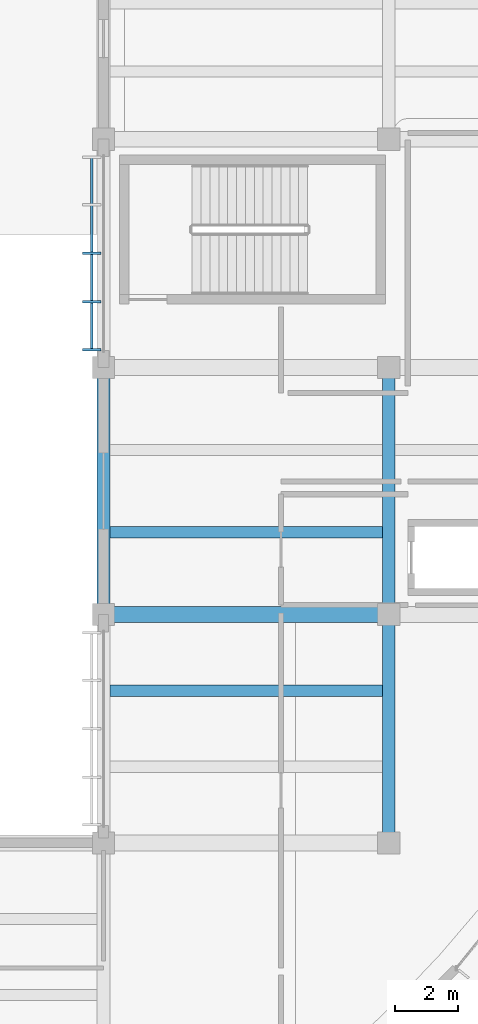
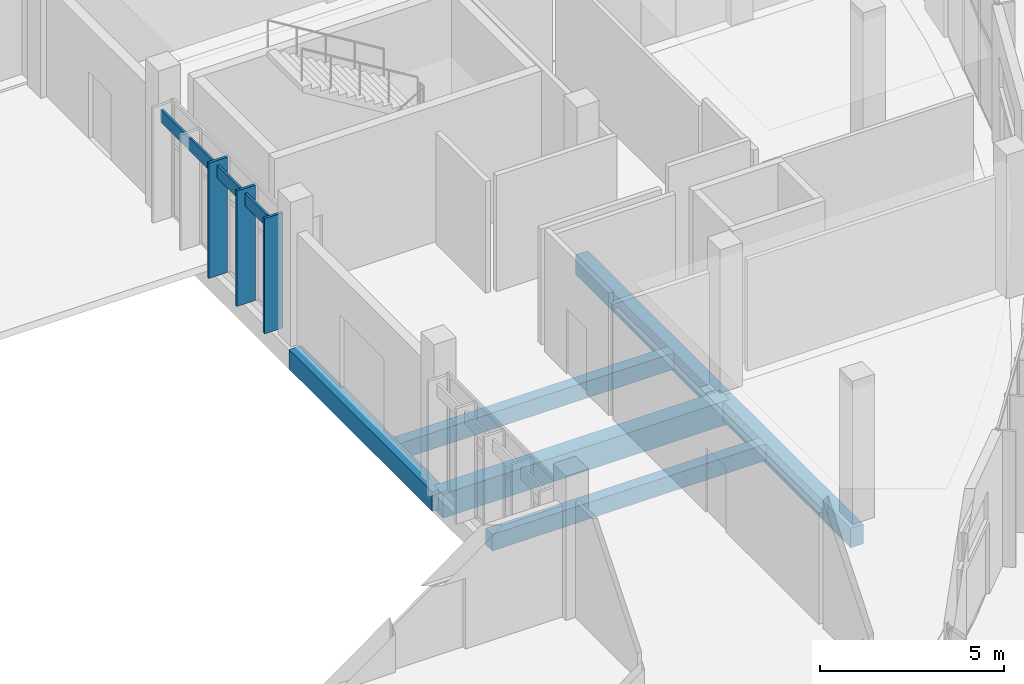
# One storey, part 76 of 151: 6 beams, 4 members, 1 element without a shape of its own.
"""IFC4 building model written with IfcOpenShell, lengths in metres."""

from ifc_helpers import new_model, si_unit, direction, frame, origin, origin_2d, place, context, subcontext, project, spatial, rectangle, extrude, material, material_profile, profile_set, type_object, element, aggregate, save


model = new_model("IFC4")

# Units and contexts
model_context = context("Model", 3, precision=1e-05, world=origin(), true_north=direction((0.0, 1.0)))
body_context = subcontext(model_context, "Body", "Model", "MODEL_VIEW")
ifc_project = project(units=[si_unit("LENGTHUNIT", "METRE"), si_unit("AREAUNIT", "SQUARE_METRE"), si_unit("VOLUMEUNIT", "CUBIC_METRE"), si_unit("PLANEANGLEUNIT", "RADIAN"), si_unit("MASSUNIT", "GRAM", prefix="KILO")], contexts=[model_context])

# Site, building, storey
site_placement = place(None, origin())
site = spatial("IfcSite", under=ifc_project, at=site_placement, CompositionType="ELEMENT")
building_placement = place(site_placement, origin())
building = spatial("IfcBuilding", under=site, at=building_placement, Name="Chiffa Square Polytechnic", CompositionType="ELEMENT")
storey_placement = place(building_placement, origin())
storey = spatial("IfcBuildingStorey", under=building, at=storey_placement, Name="L00", CompositionType="ELEMENT", Elevation=0.0)

# Beams
ifc_material_1 = material(Name="Concrete C35/45", Category="concrete")
ifc_material_profile_1 = material_profile(ifc_material_1, rectangle(XDim=0.39990234375, YDim=0.64990234375, at=origin_2d()), Name="RC 400x650")
ifc_profile_set_1 = profile_set([ifc_material_profile_1], Name="Concrete C35/45")
beam_type_1 = type_object("IfcBeamType", Name="BM-RC-400X650", PredefinedType="BEAM", material=ifc_profile_set_1)
beam_1_placement = place(storey_placement, frame((148.199951171875, 36.0, -0.675048828125), z_axis=(0.0, 1.0, 0.0), x_axis=(-1.0, 0.0, 0.0)))
element("IfcBeam", 1, at=beam_1_placement, inside=storey, type_object=beam_type_1, Name="Primary floor girder BM-V1-L00-Y-1482-0360", PredefinedType="BEAM", context=body_context, shape_type="SweptSolid", body=[
    extrude(rectangle(XDim=0.39990234375, YDim=0.64990234375, at=origin_2d()), origin(), (0.0, 0.0, 1.0), 7.800048828125),
])
beam_2_placement = place(storey_placement, frame((157.199951171875, 28.800048828125, -0.675048828125), z_axis=(0.0, 1.0, 0.0), x_axis=(-1.0, 0.0, 0.0)))
element("IfcBeam", 2, at=beam_2_placement, inside=storey, type_object=beam_type_1, Name="Primary floor girder BM-V1-L00-Y-1572-0288", PredefinedType="BEAM", context=body_context, shape_type="SweptSolid", body=[
    extrude(rectangle(XDim=0.39990234375, YDim=0.64990234375, at=origin_2d()), origin(), (0.0, 0.0, 1.0), 7.199951171875),
])
beam_3_placement = place(storey_placement, frame((157.199951171875, 36.0, -0.675048828125), z_axis=(0.0, 1.0, 0.0), x_axis=(-1.0, 0.0, 0.0)))
element("IfcBeam", 3, at=beam_3_placement, inside=storey, type_object=beam_type_1, Name="Primary floor girder BM-V1-L00-Y-1572-0360", PredefinedType="BEAM", context=body_context, shape_type="SweptSolid", body=[
    extrude(rectangle(XDim=0.39990234375, YDim=0.64990234375, at=origin_2d()), origin(), (0.0, 0.0, 1.0), 7.800048828125),
])
ifc_material_2 = material(Name="Concrete C40/50", Category="concrete")
ifc_material_profile_2 = material_profile(ifc_material_2, rectangle(XDim=0.5, YDim=0.800048828125, at=origin_2d()), Name="RC 500x800")
ifc_profile_set_2 = profile_set([ifc_material_profile_2], Name="Concrete C40/50")
beam_type_2 = type_object("IfcBeamType", Name="BM-RC-500X800", PredefinedType="BEAM", material=ifc_profile_set_2)
beam_4_placement = place(storey_placement, frame((148.199951171875, 36.0, -0.75), z_axis=(1.0, 0.0, 0.0), x_axis=(0.0, 1.0, 0.0)))
element("IfcBeam", 4, at=beam_4_placement, inside=storey, type_object=beam_type_2, Name="Primary floor girder BM-V1-L00-X-1482-0360", PredefinedType="BEAM", context=body_context, shape_type="SweptSolid", body=[
    extrude(rectangle(XDim=0.5, YDim=0.800048828125, at=origin_2d()), origin(), (0.0, 0.0, 1.0), 9.0),
])

# Curtain wall, members
ifc_material_3 = material(Name="Aluminium EN AW-6060 T66 and glulam shading", Category="wood")
curtain_wall_type = type_object("IfcCurtainWallType", Name="CW-VERT-360X380", PredefinedType="USERDEFINED", material=ifc_material_3)
curtain_wall_placement = place(storey_placement, origin())
curtain_wall = element("IfcCurtainWall", 5, at=curtain_wall_placement, inside=storey, type_object=curtain_wall_type, Name="Curtain wall CW-V1-L00-125", ObjectType="CURTAIN WALL", PredefinedType="USERDEFINED")
ifc_material_4 = material(Name="Glulam GL28h", Category="wood")
ifc_material_profile_3 = material_profile(ifc_material_4, rectangle(XDim=0.080078125, YDim=0.580078125, at=origin_2d()), Name="GL28h 80x580")
ifc_profile_set_3 = profile_set([ifc_material_profile_3], Name="Glulam GL28h")
member_type_1 = type_object("IfcMemberType", Name="CWM-GL-80X580", PredefinedType="MULLION", material=ifc_profile_set_3)
member_1_placement = place(storey_placement, frame((147.827880859375, 47.39990234375, 0.010009765625), z_axis=(0.0, 0.0, 1.0), x_axis=(0.0, -1.0, 0.0)))
member_1 = element("IfcMember", 6, at=member_1_placement, type_object=member_type_1, Name="Exterior glulam solar fin CW-V1-L00-125-FN02", PredefinedType="MULLION", context=body_context, shape_type="SweptSolid", body=[
    extrude(rectangle(XDim=0.080078125, YDim=0.580078125, at=origin_2d()), origin(), (0.0, 0.0, 1.0), 3.8349609375),
])
member_2_placement = place(storey_placement, frame((147.827880859375, 45.8701171875, 0.010009765625), z_axis=(0.0, 0.0, 1.0), x_axis=(0.0, -1.0, 0.0)))
member_2 = element("IfcMember", 7, at=member_2_placement, type_object=member_type_1, Name="Exterior glulam solar fin CW-V1-L00-125-FN03", PredefinedType="MULLION", context=body_context, shape_type="SweptSolid", body=[
    extrude(rectangle(XDim=0.080078125, YDim=0.580078125, at=origin_2d()), origin(), (0.0, 0.0, 1.0), 3.8349609375),
])
member_3_placement = place(storey_placement, frame((147.827880859375, 44.364990234375, 0.010009765625), z_axis=(0.0, 0.0, 1.0), x_axis=(0.0, -1.0, 0.0)))
member_3 = element("IfcMember", 8, at=member_3_placement, type_object=member_type_1, Name="Exterior glulam solar fin CW-V1-L00-125-FN04", PredefinedType="MULLION", context=body_context, shape_type="SweptSolid", body=[
    extrude(rectangle(XDim=0.080078125, YDim=0.580078125, at=origin_2d()), origin(), (0.0, 0.0, 1.0), 3.8349609375),
])
ifc_material_profile_4 = material_profile(ifc_material_4, rectangle(XDim=0.070068359375, YDim=0.419921875, at=origin_2d()), Name="GL28h 70x420")
ifc_profile_set_4 = profile_set([ifc_material_profile_4], Name="Glulam GL28h")
member_type_2 = type_object("IfcMemberType", Name="CWT-GL-70X420", PredefinedType="USERDEFINED", material=ifc_profile_set_4)
member_4_placement = place(storey_placement, frame((147.827880859375, 50.43505859375, 3.47509765625), z_axis=(0.0, -1.0, 0.0), x_axis=(1.0, 0.0, 0.0)))
member_4 = element("IfcMember", 9, at=member_4_placement, type_object=member_type_2, Name="Exterior glulam brise-soleil CW-V1-L00-125-BS01", ObjectType="TRANSOM", PredefinedType="USERDEFINED", context=body_context, shape_type="SweptSolid", body=[
    extrude(rectangle(XDim=0.070068359375, YDim=0.419921875, at=origin_2d()), origin(), (0.0, 0.0, 1.0), 6.070068359375),
])
aggregate(curtain_wall, [member_1, member_2, member_3, member_4])

# Beams
ifc_material_profile_5 = material_profile(ifc_material_1, rectangle(XDim=0.35009765625, YDim=0.550048828125, at=origin_2d()), Name="RC 350x550")
ifc_profile_set_5 = profile_set([ifc_material_profile_5], Name="Concrete C35/45")
beam_type_3 = type_object("IfcBeamType", Name="JST-RC-350X550", PredefinedType="JOIST", material=ifc_profile_set_5)
for number, where, z_axis, x_axis, name in (
    (10, (148.39794921875, 33.60009765625, -0.625), (1.0, 0.0, 0.0), (0.0, 1.0, 0.0), "Secondary floor joist JST-V1-L00-1482-0336"),
    (11, (148.39794921875, 38.60009765625, -0.625), (1.0, 0.0, 0.0), (0.0, 1.0, 0.0), "Secondary floor joist JST-V1-L00-1482-0386"),
):
    element("IfcBeam", number, at=place(storey_placement, frame(where, z_axis=z_axis, x_axis=x_axis)), inside=storey, type_object=beam_type_3, Name=name, PredefinedType="JOIST", context=body_context, shape_type="SweptSolid", body=[
        extrude(rectangle(XDim=0.35009765625, YDim=0.550048828125, at=origin_2d()), origin(), (0.0, 0.0, 1.0), 8.60400390625),
    ])

save(model, "model.ifc")
